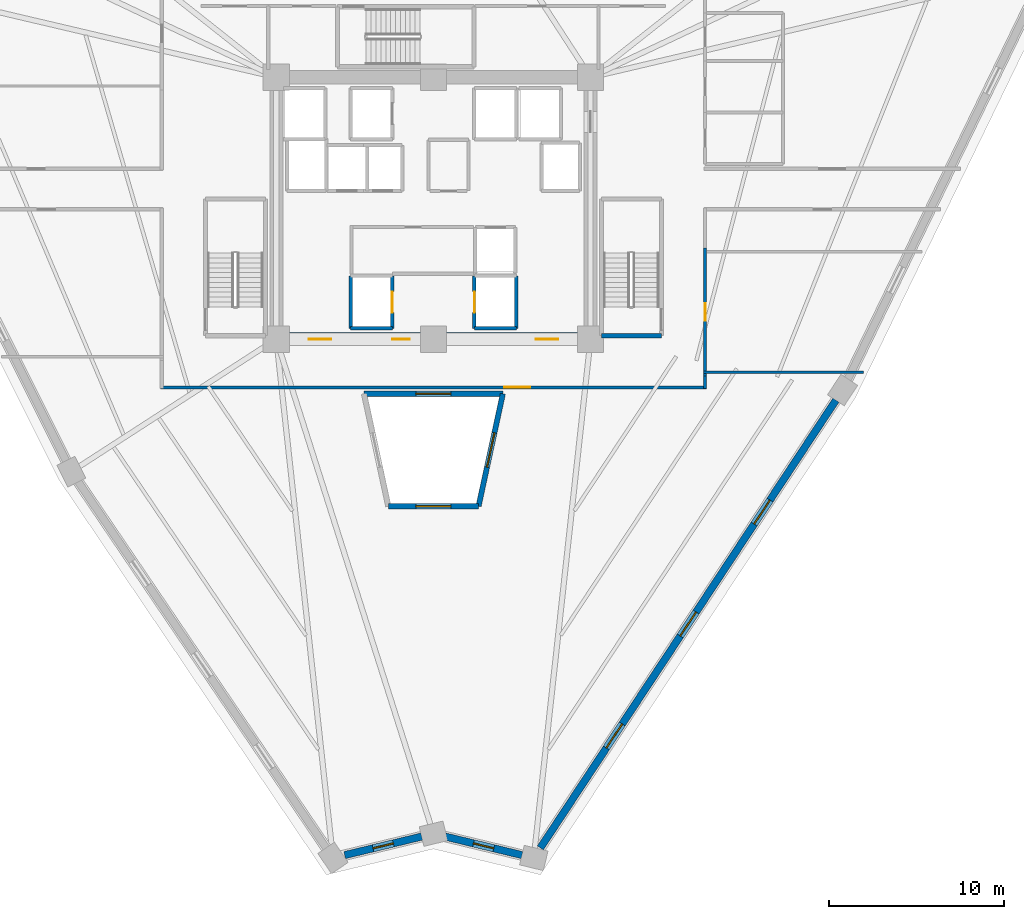
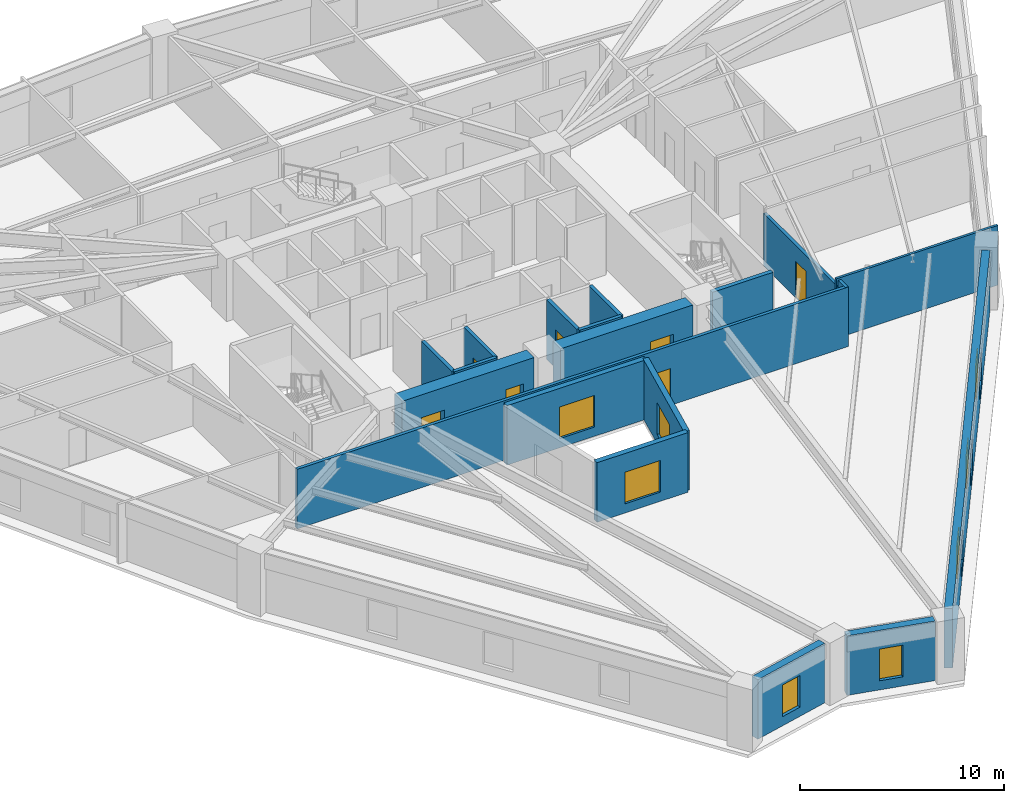
# One storey, part 3 of 8: 19 walls, 8 windows, 7 doors, 15 openings.
"""IFC4 building model written with IfcOpenShell, lengths in metres."""

from ifc_helpers import new_model, si_unit, direction, frame, frame_2d, origin, place, context, subcontext, project, spatial, rectangle, extrude, source, transform, mapped, material, layer, layer_set, type_object, element, fill, save


model = new_model("IFC4")

# Units and contexts
model_context = context("Model", 3, precision=1e-05, world=origin(), true_north=direction((0.0, 1.0)))
body_context = subcontext(model_context, "Body", "Model", "MODEL_VIEW")
ifc_project = project(units=[si_unit("LENGTHUNIT", "METRE"), si_unit("AREAUNIT", "SQUARE_METRE"), si_unit("VOLUMEUNIT", "CUBIC_METRE"), si_unit("PLANEANGLEUNIT", "RADIAN"), si_unit("MASSUNIT", "GRAM", prefix="KILO")], contexts=[model_context])

# Site, building, storey
site_placement = place(None, origin())
site = spatial("IfcSite", under=ifc_project, at=site_placement, CompositionType="ELEMENT")
building_placement = place(site_placement, origin())
building = spatial("IfcBuilding", under=site, at=building_placement, Name="Liaohun Quay Tower", CompositionType="ELEMENT")
storey_placement = place(building_placement, frame((0.0, 0.0, 155.25)))
storey = spatial("IfcBuildingStorey", under=building, at=storey_placement, Name="L40", CompositionType="ELEMENT", Elevation=155.25)

# Wall, opening, window
ifc_material_1 = material(Name="Concrete C50", Category="concrete")
ifc_layer_1 = layer(ifc_material_1, 0.300048828125, Name="Concrete C50", Category="concrete")
ifc_layer_set_1 = layer_set([ifc_layer_1], Name="Concrete C50")
wall_type_1 = type_object("IfcWallType", Name="WAL-ATR-300", PredefinedType="SOLIDWALL", material=ifc_layer_set_1)
wall_1_placement = place(storey_placement, frame((56.02197265625, 43.3701171875, 0.0), z_axis=(0.0, 0.0, 1.0), x_axis=(1.0, 0.0, 0.0)))
wall_1 = element("IfcWall", 1, at=wall_1_placement, inside=storey, type_object=wall_type_1, Name="L40 Atrium Fire Compartment Wall 2", PredefinedType="SOLIDWALL", context=body_context, shape_type="SweptSolid", body=[
    extrude(rectangle(XDim=7.9560546875, YDim=0.300048828125, at=frame_2d((3.97802734375, 0.0))), origin(), (0.0, 0.0, 1.0), 3.570068359375),
])
shared_shape_1 = source(origin(), body_context, "Body", "SweptSolid", [
    extrude(rectangle(XDim=2.0, YDim=1.89990234375, at=frame_2d((1.0, 0.949951171875))), frame((0.0, 0.159912109375, 0.0), z_axis=(0.0, -1.0, 0.0), x_axis=(1.0, 0.0, 0.0)), (0.0, 0.0, 1.0), 0.320068359375),
])
opening_1_placement = place(wall_1_placement, frame((2.97802734375, 0.0, 0.550048828125)))
opening_1 = element("IfcOpeningElement", 2, at=opening_1_placement, cuts=wall_1, Name="Opening W07", PredefinedType="OPENING", context=body_context, shape_type="MappedRepresentation", body=[
    mapped(shared_shape_1, transform((0.0, 0.0, 0.0), x_axis=(1.0, 0.0, 0.0), y_axis=(0.0, 1.0, 0.0), z_axis=(0.0, 0.0, 1.0), scale=1.0)),
])
ifc_material_2 = material(Name="Class A 180-min fire-resistant insulated glazing", Category="glass")
window_type_1 = type_object("IfcWindowType", Name="WIN-ATR-FIR", PartitioningType="DOUBLE_PANEL_VERTICAL", PredefinedType="WINDOW", material=ifc_material_2)
shared_shape_2 = source(origin(), body_context, "Body", "SweptSolid", [
    extrude(rectangle(XDim=2.0, YDim=1.89990234375, at=frame_2d((1.0, 0.949951171875))), frame((0.0, 0.030029296875, 0.0), z_axis=(0.0, -1.0, 0.0), x_axis=(1.0, 0.0, 0.0)), (0.0, 0.0, 1.0), 0.06005859375),
])
window_1_placement = place(opening_1_placement, origin())
window_1 = element("IfcWindow", 3, at=window_1_placement, inside=storey, type_object=window_type_1, Name="L40 Atrium Fire-Resistant Glazing W07-2", OverallHeight=1.89990234375, OverallWidth=2.0, PartitioningType="DOUBLE_PANEL_VERTICAL", PredefinedType="WINDOW", context=body_context, shape_type="MappedRepresentation", body=[
    mapped(shared_shape_2, transform((0.0, 0.0, 0.0), x_axis=(1.0, 0.0, 0.0), y_axis=(0.0, 1.0, 0.0), z_axis=(0.0, 0.0, 1.0), scale=1.0)),
])
fill(opening_1, window_1)

wall_2_placement = place(storey_placement, frame((63.97802734375, 43.3701171875, 0.0), z_axis=(0.0, 0.0, 1.0), x_axis=(-0.211277302898, -0.977426161549, 0.0)))
wall_2 = element("IfcWall", 4, at=wall_2_placement, inside=storey, type_object=wall_type_1, Name="L40 Atrium Fire Compartment Wall 3", PredefinedType="SOLIDWALL", context=body_context, shape_type="SweptSolid", body=[
    extrude(rectangle(XDim=6.5888671875, YDim=0.300048828125, at=frame_2d((3.29443359375, 0.0))), origin(), (0.0, 0.0, 1.0), 3.570068359375),
])
opening_2_placement = place(wall_2_placement, frame((2.2939453125, 0.0, 0.550048828125)))
opening_2 = element("IfcOpeningElement", 5, at=opening_2_placement, cuts=wall_2, Name="Opening W07", PredefinedType="OPENING", context=body_context, shape_type="MappedRepresentation", body=[
    mapped(shared_shape_1, transform((0.0, 0.0, 0.0), x_axis=(1.0, 0.0, 0.0), y_axis=(0.0, 1.0, 0.0), z_axis=(0.0, 0.0, 1.0), scale=1.0)),
])
window_2_placement = place(opening_2_placement, origin())
window_2 = element("IfcWindow", 6, at=window_2_placement, inside=storey, type_object=window_type_1, Name="L40 Atrium Fire-Resistant Glazing W07-3", OverallHeight=1.89990234375, OverallWidth=2.0, PartitioningType="DOUBLE_PANEL_VERTICAL", PredefinedType="WINDOW", context=body_context, shape_type="MappedRepresentation", body=[
    mapped(shared_shape_2, transform((0.0, 0.0, 0.0), x_axis=(1.0, 0.0, 0.0), y_axis=(0.0, 1.0, 0.0), z_axis=(0.0, 0.0, 1.0), scale=1.0)),
])
fill(opening_2, window_2)

wall_3_placement = place(storey_placement, frame((62.5859375, 36.929931640625, 0.0), z_axis=(0.0, 0.0, 1.0), x_axis=(-1.0, 0.0, 0.0)))
wall_3 = element("IfcWall", 7, at=wall_3_placement, inside=storey, type_object=wall_type_1, Name="L40 Atrium Fire Compartment Wall 4", PredefinedType="SOLIDWALL", context=body_context, shape_type="SweptSolid", body=[
    extrude(rectangle(XDim=5.171875, YDim=0.300048828125, at=frame_2d((2.5859375, 0.0))), origin(), (0.0, 0.0, 1.0), 3.570068359375),
])
opening_3_placement = place(wall_3_placement, frame((1.5859375, 0.0, 0.550048828125)))
opening_3 = element("IfcOpeningElement", 8, at=opening_3_placement, cuts=wall_3, Name="Opening W07", PredefinedType="OPENING", context=body_context, shape_type="MappedRepresentation", body=[
    mapped(shared_shape_1, transform((0.0, 0.0, 0.0), x_axis=(1.0, 0.0, 0.0), y_axis=(0.0, 1.0, 0.0), z_axis=(0.0, 0.0, 1.0), scale=1.0)),
])
window_3_placement = place(opening_3_placement, origin())
window_3 = element("IfcWindow", 9, at=window_3_placement, inside=storey, type_object=window_type_1, Name="L40 Atrium Fire-Resistant Glazing W07-4", OverallHeight=1.89990234375, OverallWidth=2.0, PartitioningType="DOUBLE_PANEL_VERTICAL", PredefinedType="WINDOW", context=body_context, shape_type="MappedRepresentation", body=[
    mapped(shared_shape_2, transform((0.0, 0.0, 0.0), x_axis=(1.0, 0.0, 0.0), y_axis=(0.0, 1.0, 0.0), z_axis=(0.0, 0.0, 1.0), scale=1.0)),
])
fill(opening_3, window_3)

# Wall, opening, door
ifc_material_3 = material(Name="Concrete C60", Category="concrete")
ifc_layer_2 = layer(ifc_material_3, 0.75, Name="Concrete C60", Category="concrete")
ifc_layer_set_2 = layer_set([ifc_layer_2], Name="Concrete C60")
wall_type_2 = type_object("IfcWallType", Name="WAL-COR-Z2", PredefinedType="SHEAR", material=ifc_layer_set_2)
wall_4_placement = place(storey_placement, frame((68.25, 46.5, 0.0), z_axis=(0.0, 0.0, 1.0), x_axis=(-1.0, 0.0, 0.0)))
wall_4 = element("IfcWall", 10, at=wall_4_placement, inside=storey, type_object=wall_type_2, Name="L40 Central Core Shear Wall S-E", PredefinedType="SHEAR", context=body_context, shape_type="SweptSolid", body=[
    extrude(rectangle(XDim=7.5, YDim=0.75, at=frame_2d((3.75, 0.0))), origin(), (0.0, 0.0, 1.0), 3.570068359375),
])
shared_shape_3 = source(origin(), body_context, "Body", "SweptSolid", [
    extrude(rectangle(XDim=1.300048828125, YDim=2.199951171875, at=frame_2d((0.64990234375, 1.10009765625))), frame((0.0, 0.385009765625, 0.0), z_axis=(0.0, -1.0, 0.0), x_axis=(1.0, 0.0, 0.0)), (0.0, 0.0, 1.0), 0.77001953125),
])
opening_4_placement = place(wall_4_placement, frame((1.10009765625, 0.0, 0.0)))
opening_4 = element("IfcOpeningElement", 11, at=opening_4_placement, cuts=wall_4, Name="Opening FD1", PredefinedType="OPENING", context=body_context, shape_type="MappedRepresentation", body=[
    mapped(shared_shape_3, transform((0.0, 0.0, 0.0), x_axis=(1.0, 0.0, 0.0), y_axis=(0.0, 1.0, 0.0), z_axis=(0.0, 0.0, 1.0), scale=1.0)),
])
ifc_material_4 = material(Name="Galvanised steel smokeproof fire door", Category="steel")
door_type_1 = type_object("IfcDoorType", Name="DOR-FFL-1300", OperationType="NOTDEFINED", PredefinedType="DOOR", material=ifc_material_4)
shared_shape_4 = source(origin(), body_context, "Body", "SweptSolid", [
    extrude(rectangle(XDim=1.300048828125, YDim=2.199951171875, at=frame_2d((0.64990234375, 1.10009765625))), frame((0.0, 0.02490234375, 0.0), z_axis=(0.0, -1.0, 0.0), x_axis=(1.0, 0.0, 0.0)), (0.0, 0.0, 1.0), 0.050048828125),
])
door_1_placement = place(opening_4_placement, origin())
door_1 = element("IfcDoor", 12, at=door_1_placement, inside=storey, type_object=door_type_1, Name="L40 East Core Lift Lobby Smokeproof Door", OperationType="SINGLE_SWING_LEFT", OverallHeight=2.199951171875, OverallWidth=1.300048828125, PredefinedType="DOOR", context=body_context, shape_type="MappedRepresentation", body=[
    mapped(shared_shape_4, transform((0.0, 0.0, 0.0), x_axis=(1.0, 0.0, 0.0), y_axis=(0.0, 1.0, 0.0), z_axis=(0.0, 0.0, 1.0), scale=1.0)),
])
fill(opening_4, door_1)

# Wall, openings, doors
wall_5_placement = place(storey_placement, frame((59.25, 46.5, 0.0), z_axis=(0.0, 0.0, 1.0), x_axis=(-1.0, 0.0, 0.0)))
wall_5 = element("IfcWall", 13, at=wall_5_placement, inside=storey, type_object=wall_type_2, Name="L40 Central Core Shear Wall S-W", PredefinedType="SHEAR", context=body_context, shape_type="SweptSolid", body=[
    extrude(rectangle(XDim=7.5, YDim=0.75, at=frame_2d((3.75, 0.0))), origin(), (0.0, 0.0, 1.0), 3.570068359375),
])
opening_5_placement = place(wall_5_placement, frame((5.10009765625, 0.0, 0.0)))
opening_5 = element("IfcOpeningElement", 14, at=opening_5_placement, cuts=wall_5, Name="Opening FD1", PredefinedType="OPENING", context=body_context, shape_type="MappedRepresentation", body=[
    mapped(shared_shape_3, transform((0.0, 0.0, 0.0), x_axis=(1.0, 0.0, 0.0), y_axis=(0.0, 1.0, 0.0), z_axis=(0.0, 0.0, 1.0), scale=1.0)),
])
shared_shape_5 = source(origin(), body_context, "Body", "SweptSolid", [
    extrude(rectangle(XDim=1.0, YDim=2.199951171875, at=frame_2d((0.5, 1.10009765625))), frame((0.0, 0.385009765625, 0.0), z_axis=(0.0, -1.0, 0.0), x_axis=(1.0, 0.0, 0.0)), (0.0, 0.0, 1.0), 0.77001953125),
])
opening_6_placement = place(wall_5_placement, frame((0.60009765625, 0.0, 0.0)))
opening_6 = element("IfcOpeningElement", 15, at=opening_6_placement, cuts=wall_5, Name="Opening FD2", PredefinedType="OPENING", context=body_context, shape_type="MappedRepresentation", body=[
    mapped(shared_shape_5, transform((0.0, 0.0, 0.0), x_axis=(1.0, 0.0, 0.0), y_axis=(0.0, 1.0, 0.0), z_axis=(0.0, 0.0, 1.0), scale=1.0)),
])
door_2_placement = place(opening_5_placement, origin())
door_2 = element("IfcDoor", 16, at=door_2_placement, inside=storey, type_object=door_type_1, Name="L40 West Core Lift Lobby Smokeproof Door", OperationType="SINGLE_SWING_RIGHT", OverallHeight=2.199951171875, OverallWidth=1.300048828125, PredefinedType="DOOR", context=body_context, shape_type="MappedRepresentation", body=[
    mapped(shared_shape_4, transform((0.0, 0.0, 0.0), x_axis=(1.0, 0.0, 0.0), y_axis=(0.0, 1.0, 0.0), z_axis=(0.0, 0.0, 1.0), scale=1.0)),
])
fill(opening_5, door_2)
ifc_material_5 = material(Name="Galvanised steel smokeproof lobby fire door", Category="steel")
door_type_2 = type_object("IfcDoorType", Name="DOR-FFL-1000", OperationType="NOTDEFINED", PredefinedType="DOOR", material=ifc_material_5)
shared_shape_6 = source(origin(), body_context, "Body", "SweptSolid", [
    extrude(rectangle(XDim=1.0, YDim=2.199951171875, at=frame_2d((0.5, 1.10009765625))), frame((0.0, 0.02490234375, 0.0), z_axis=(0.0, -1.0, 0.0), x_axis=(1.0, 0.0, 0.0)), (0.0, 0.0, 1.0), 0.050048828125),
])
door_3_placement = place(opening_6_placement, origin())
door_3 = element("IfcDoor", 17, at=door_3_placement, inside=storey, type_object=door_type_2, Name="L40 South Firefighting Lobby Smokeproof Door", OperationType="SINGLE_SWING_LEFT", OverallHeight=2.199951171875, OverallWidth=1.0, PredefinedType="DOOR", context=body_context, shape_type="MappedRepresentation", body=[
    mapped(shared_shape_6, transform((0.0, 0.0, 0.0), x_axis=(1.0, 0.0, 0.0), y_axis=(0.0, 1.0, 0.0), z_axis=(0.0, 0.0, 1.0), scale=1.0)),
])
fill(opening_6, door_3)

# Wall, opening, window
ifc_material_6 = material(Name="Precast concrete C50 insulated sandwich", Category="concrete")
ifc_layer_3 = layer(ifc_material_6, 0.419921875, Name="Precast concrete C50 insulated sandwich", Category="concrete")
ifc_layer_set_3 = layer_set([ifc_layer_3], Name="Precast concrete C50 insulated sandwich")
wall_type_3 = type_object("IfcWallType", Name="WAL-EXT-Z12", PredefinedType="SOLIDWALL", material=ifc_layer_set_3)
wall_6_placement = place(storey_placement, frame((60.6708984375, 18.009033203125, 0.0), z_axis=(0.0, 0.0, 1.0), x_axis=(0.972047876223, -0.234782721531, 0.0)))
wall_6 = element("IfcWall", 18, at=wall_6_placement, inside=storey, type_object=wall_type_3, Name="L40 Brutalist Precast Pier Wall 01", PredefinedType="SOLIDWALL", context=body_context, shape_type="SweptSolid", body=[
    extrude(rectangle(XDim=4.53173828125, YDim=0.419921875, at=frame_2d((2.265869140625, 0.0))), origin(), (0.0, 0.0, 1.0), 3.570068359375),
])
shared_shape_7 = source(origin(), body_context, "Body", "SweptSolid", [
    extrude(rectangle(XDim=1.199951171875, YDim=1.89990234375, at=frame_2d((0.60009765625, 0.949951171875))), frame((0.0, 0.219970703125, 0.0), z_axis=(0.0, -1.0, 0.0), x_axis=(1.0, 0.0, 0.0)), (0.0, 0.0, 1.0), 0.43994140625),
])
opening_7_placement = place(wall_6_placement, frame((1.666015625, 0.0, 0.550048828125)))
opening_7 = element("IfcOpeningElement", 19, at=opening_7_placement, cuts=wall_6, Name="Opening W05", PredefinedType="OPENING", context=body_context, shape_type="MappedRepresentation", body=[
    mapped(shared_shape_7, transform((0.0, 0.0, 0.0), x_axis=(1.0, 0.0, 0.0), y_axis=(0.0, 1.0, 0.0), z_axis=(0.0, 0.0, 1.0), scale=1.0)),
])
ifc_material_7 = material(Name="Triple Low-E corner notch glazing", Category="glass")
window_type_2 = type_object("IfcWindowType", Name="WIN-NOTCH", PartitioningType="SINGLE_PANEL", PredefinedType="WINDOW", material=ifc_material_7)
shared_shape_8 = source(origin(), body_context, "Body", "SweptSolid", [
    extrude(rectangle(XDim=1.199951171875, YDim=1.89990234375, at=frame_2d((0.60009765625, 0.949951171875))), frame((0.0, 0.030029296875, 0.0), z_axis=(0.0, -1.0, 0.0), x_axis=(1.0, 0.0, 0.0)), (0.0, 0.0, 1.0), 0.06005859375),
])
window_4_placement = place(opening_7_placement, origin())
window_4 = element("IfcWindow", 20, at=window_4_placement, inside=storey, type_object=window_type_2, Name="L40 Corner Notch Window W05-01", OverallHeight=1.89990234375, OverallWidth=1.199951171875, PartitioningType="SINGLE_PANEL", PredefinedType="WINDOW", context=body_context, shape_type="MappedRepresentation", body=[
    mapped(shared_shape_8, transform((0.0, 0.0, 0.0), x_axis=(1.0, 0.0, 0.0), y_axis=(0.0, 1.0, 0.0), z_axis=(0.0, 0.0, 1.0), scale=1.0)),
])
fill(opening_7, window_4)

# Wall, openings, windows
wall_7_placement = place(storey_placement, frame((66.126953125, 17.35888671875, 0.0), z_axis=(0.0, 0.0, 1.0), x_axis=(0.550882826914, 0.834582596878, 0.0)))
wall_7 = element("IfcWall", 21, at=wall_7_placement, inside=storey, type_object=wall_type_3, Name="L40 Brutalist Precast Pier Wall 02", PredefinedType="SOLIDWALL", context=body_context, shape_type="SweptSolid", body=[
    extrude(rectangle(XDim=30.730712890625, YDim=0.419921875, at=frame_2d((15.365234375, 0.0))), origin(), (0.0, 0.0, 1.0), 3.570068359375),
])
shared_shape_9 = source(origin(), body_context, "Body", "SweptSolid", [
    extrude(rectangle(XDim=1.64990234375, YDim=1.949951171875, at=frame_2d((0.824951171875, 0.97509765625))), frame((0.0, 0.219970703125, 0.0), z_axis=(0.0, -1.0, 0.0), x_axis=(1.0, 0.0, 0.0)), (0.0, 0.0, 1.0), 0.43994140625),
])
opening_8_placement = place(wall_7_placement, frame((6.85791015625, 0.0, 0.550048828125)))
opening_8 = element("IfcOpeningElement", 22, at=opening_8_placement, cuts=wall_7, Name="Opening W02", PredefinedType="OPENING", context=body_context, shape_type="MappedRepresentation", body=[
    mapped(shared_shape_9, transform((0.0, 0.0, 0.0), x_axis=(1.0, 0.0, 0.0), y_axis=(0.0, 1.0, 0.0), z_axis=(0.0, 0.0, 1.0), scale=1.0)),
])
opening_9_placement = place(wall_7_placement, frame((14.5400390625, 0.0, 0.550048828125)))
opening_9 = element("IfcOpeningElement", 23, at=opening_9_placement, cuts=wall_7, Name="Opening W02", PredefinedType="OPENING", context=body_context, shape_type="MappedRepresentation", body=[
    mapped(shared_shape_9, transform((0.0, 0.0, 0.0), x_axis=(1.0, 0.0, 0.0), y_axis=(0.0, 1.0, 0.0), z_axis=(0.0, 0.0, 1.0), scale=1.0)),
])
opening_10_placement = place(wall_7_placement, frame((22.222900390625, 0.0, 0.550048828125)))
opening_10 = element("IfcOpeningElement", 24, at=opening_10_placement, cuts=wall_7, Name="Opening W02", PredefinedType="OPENING", context=body_context, shape_type="MappedRepresentation", body=[
    mapped(shared_shape_9, transform((0.0, 0.0, 0.0), x_axis=(1.0, 0.0, 0.0), y_axis=(0.0, 1.0, 0.0), z_axis=(0.0, 0.0, 1.0), scale=1.0)),
])
ifc_material_8 = material(Name="Triple Low-E argon glazing in thermally broken aluminium", Category="aluminium")
window_type_3 = type_object("IfcWindowType", Name="WIN-PUN-Z2", PartitioningType="DOUBLE_PANEL_VERTICAL", PredefinedType="WINDOW", material=ifc_material_8)
shared_shape_10 = source(origin(), body_context, "Body", "SweptSolid", [
    extrude(rectangle(XDim=1.64990234375, YDim=1.949951171875, at=frame_2d((0.824951171875, 0.97509765625))), frame((0.0, 0.030029296875, 0.0), z_axis=(0.0, -1.0, 0.0), x_axis=(1.0, 0.0, 0.0)), (0.0, 0.0, 1.0), 0.06005859375),
])
window_5_placement = place(opening_8_placement, origin())
window_5 = element("IfcWindow", 25, at=window_5_placement, inside=storey, type_object=window_type_3, Name="L40 Recessed Cold-Climate Punched Window 02-1", OverallHeight=1.949951171875, OverallWidth=1.64990234375, PartitioningType="DOUBLE_PANEL_VERTICAL", PredefinedType="WINDOW", context=body_context, shape_type="MappedRepresentation", body=[
    mapped(shared_shape_10, transform((0.0, 0.0, 0.0), x_axis=(1.0, 0.0, 0.0), y_axis=(0.0, 1.0, 0.0), z_axis=(0.0, 0.0, 1.0), scale=1.0)),
])
fill(opening_8, window_5)
window_6_placement = place(opening_9_placement, origin())
window_6 = element("IfcWindow", 26, at=window_6_placement, inside=storey, type_object=window_type_3, Name="L40 Recessed Cold-Climate Punched Window 02-2", OverallHeight=1.949951171875, OverallWidth=1.64990234375, PartitioningType="DOUBLE_PANEL_VERTICAL", PredefinedType="WINDOW", context=body_context, shape_type="MappedRepresentation", body=[
    mapped(shared_shape_10, transform((0.0, 0.0, 0.0), x_axis=(1.0, 0.0, 0.0), y_axis=(0.0, 1.0, 0.0), z_axis=(0.0, 0.0, 1.0), scale=1.0)),
])
fill(opening_9, window_6)
window_7_placement = place(opening_10_placement, origin())
window_7 = element("IfcWindow", 27, at=window_7_placement, inside=storey, type_object=window_type_3, Name="L40 Recessed Cold-Climate Punched Window 02-3", OverallHeight=1.949951171875, OverallWidth=1.64990234375, PartitioningType="DOUBLE_PANEL_VERTICAL", PredefinedType="WINDOW", context=body_context, shape_type="MappedRepresentation", body=[
    mapped(shared_shape_10, transform((0.0, 0.0, 0.0), x_axis=(1.0, 0.0, 0.0), y_axis=(0.0, 1.0, 0.0), z_axis=(0.0, 0.0, 1.0), scale=1.0)),
])
fill(opening_10, window_7)

# Wall, opening, window
wall_8_placement = place(storey_placement, frame((54.916015625, 16.944091796875, 0.0), z_axis=(0.0, 0.0, 1.0), x_axis=(0.972096587911, 0.234580953556, 0.0)))
wall_8 = element("IfcWall", 28, at=wall_8_placement, inside=storey, type_object=wall_type_3, Name="L40 Brutalist Precast Pier Wall 12", PredefinedType="SOLIDWALL", context=body_context, shape_type="SweptSolid", body=[
    extrude(rectangle(XDim=4.539794921875, YDim=0.419921875, at=frame_2d((2.27001953125, 0.0))), origin(), (0.0, 0.0, 1.0), 3.570068359375),
])
opening_11_placement = place(wall_8_placement, frame((1.669921875, 0.0, 0.550048828125)))
opening_11 = element("IfcOpeningElement", 29, at=opening_11_placement, cuts=wall_8, Name="Opening W05", PredefinedType="OPENING", context=body_context, shape_type="MappedRepresentation", body=[
    mapped(shared_shape_7, transform((0.0, 0.0, 0.0), x_axis=(1.0, 0.0, 0.0), y_axis=(0.0, 1.0, 0.0), z_axis=(0.0, 0.0, 1.0), scale=1.0)),
])
window_8_placement = place(opening_11_placement, origin())
window_8 = element("IfcWindow", 30, at=window_8_placement, inside=storey, type_object=window_type_2, Name="L40 Corner Notch Window W05-12", OverallHeight=1.89990234375, OverallWidth=1.199951171875, PartitioningType="SINGLE_PANEL", PredefinedType="WINDOW", context=body_context, shape_type="MappedRepresentation", body=[
    mapped(shared_shape_8, transform((0.0, 0.0, 0.0), x_axis=(1.0, 0.0, 0.0), y_axis=(0.0, 1.0, 0.0), z_axis=(0.0, 0.0, 1.0), scale=1.0)),
])
fill(opening_11, window_8)

# Wall, opening, door
ifc_material_9 = material(Name="Autoclaved aerated concrete blockwork", Category="masonry")
ifc_layer_4 = layer(ifc_material_9, 0.179931640625, Name="Autoclaved aerated concrete blockwork", Category="masonry")
ifc_layer_set_4 = layer_set([ifc_layer_4], Name="Autoclaved aerated concrete blockwork")
wall_type_4 = type_object("IfcWallType", Name="WAL-PRT-COR", PredefinedType="PARTITIONING", material=ifc_layer_set_4)
wall_9_placement = place(storey_placement, frame((75.6298828125, 43.739990234375, 0.0), z_axis=(0.0, 0.0, 1.0), x_axis=(-1.0, 0.0, 0.0)))
wall_9 = element("IfcWall", 31, at=wall_9_placement, inside=storey, type_object=wall_type_4, Name="L40 Interior Partition Wall 019", PredefinedType="PARTITIONING", context=body_context, shape_type="SweptSolid", body=[
    extrude(rectangle(XDim=31.259765625, YDim=0.179931640625, at=frame_2d((15.6298828125, 0.0))), origin(), (0.0, 0.0, 1.0), 3.570068359375),
])
shared_shape_11 = source(origin(), body_context, "Body", "SweptSolid", [
    extrude(rectangle(XDim=1.5, YDim=2.199951171875, at=frame_2d((0.75, 1.10009765625))), frame((0.0, 0.099853515625, 0.0), z_axis=(0.0, -1.0, 0.0), x_axis=(1.0, 0.0, 0.0)), (0.0, 0.0, 1.0), 0.199951171875),
])
opening_12_placement = place(wall_9_placement, frame((10.080078125, 0.0, 0.0)))
opening_12 = element("IfcOpeningElement", 32, at=opening_12_placement, cuts=wall_9, Name="Opening OD2", PredefinedType="OPENING", context=body_context, shape_type="MappedRepresentation", body=[
    mapped(shared_shape_11, transform((0.0, 0.0, 0.0), x_axis=(1.0, 0.0, 0.0), y_axis=(0.0, 1.0, 0.0), z_axis=(0.0, 0.0, 1.0), scale=1.0)),
])
ifc_material_10 = material(Name="Acoustic oak veneer double door")
door_type_3 = type_object("IfcDoorType", Name="DOR-OFF-1500", OperationType="DOUBLE_DOOR_SINGLE_SWING", PredefinedType="DOOR", material=ifc_material_10)
shared_shape_12 = source(origin(), body_context, "Body", "SweptSolid", [
    extrude(rectangle(XDim=1.5, YDim=2.199951171875, at=frame_2d((0.75, 1.10009765625))), frame((0.0, 0.02490234375, 0.0), z_axis=(0.0, -1.0, 0.0), x_axis=(1.0, 0.0, 0.0)), (0.0, 0.0, 1.0), 0.050048828125),
])
door_4_placement = place(opening_12_placement, origin())
door_4 = element("IfcDoor", 33, at=door_4_placement, inside=storey, type_object=door_type_3, Name="L40 Open-Plan Office Workplace 10 Door", OperationType="DOUBLE_DOOR_SINGLE_SWING", OverallHeight=2.199951171875, OverallWidth=1.5, PredefinedType="DOOR", context=body_context, shape_type="MappedRepresentation", body=[
    mapped(shared_shape_12, transform((0.0, 0.0, 0.0), x_axis=(1.0, 0.0, 0.0), y_axis=(0.0, 1.0, 0.0), z_axis=(0.0, 0.0, 1.0), scale=1.0)),
])
fill(opening_12, door_4)

wall_10_placement = place(storey_placement, frame((75.56005859375, 51.715087890625, 0.0), z_axis=(0.0, 0.0, 1.0), x_axis=(0.0, -1.0, 0.0)))
wall_10 = element("IfcWall", 34, at=wall_10_placement, inside=storey, type_object=wall_type_4, Name="L40 Interior Partition Wall 020", PredefinedType="PARTITIONING", context=body_context, shape_type="SweptSolid", body=[
    extrude(rectangle(XDim=7.330078125, YDim=0.179931640625, at=frame_2d((3.6650390625, 0.0))), origin(), (0.0, 0.0, 1.0), 3.155029296875),
])
shared_shape_13 = source(origin(), body_context, "Body", "SweptSolid", [
    extrude(rectangle(XDim=1.0, YDim=2.199951171875, at=frame_2d((0.5, 1.10009765625))), frame((0.0, 0.099853515625, 0.0), z_axis=(0.0, -1.0, 0.0), x_axis=(1.0, 0.0, 0.0)), (0.0, 0.0, 1.0), 0.199951171875),
])
opening_13_placement = place(wall_10_placement, frame((3.1650390625, 0.0, 0.0)))
opening_13 = element("IfcOpeningElement", 35, at=opening_13_placement, cuts=wall_10, Name="Opening OD1", PredefinedType="OPENING", context=body_context, shape_type="MappedRepresentation", body=[
    mapped(shared_shape_13, transform((0.0, 0.0, 0.0), x_axis=(1.0, 0.0, 0.0), y_axis=(0.0, 1.0, 0.0), z_axis=(0.0, 0.0, 1.0), scale=1.0)),
])
ifc_material_11 = material(Name="Solid-core oak veneer timber leaf in steel frame", Category="steel")
door_type_4 = type_object("IfcDoorType", Name="DOR-OFF-1000", OperationType="NOTDEFINED", PredefinedType="DOOR", material=ifc_material_11)
door_5_placement = place(opening_13_placement, origin())
door_5 = element("IfcDoor", 36, at=door_5_placement, inside=storey, type_object=door_type_4, Name="L40 Executive Partner Office 11 Door", OperationType="SINGLE_SWING_RIGHT", OverallHeight=2.199951171875, OverallWidth=1.0, PredefinedType="DOOR", context=body_context, shape_type="MappedRepresentation", body=[
    mapped(shared_shape_6, transform((0.0, 0.0, 0.0), x_axis=(1.0, 0.0, 0.0), y_axis=(0.0, 1.0, 0.0), z_axis=(0.0, 0.0, 1.0), scale=1.0)),
])
fill(opening_13, door_5)

# Walls
wall_11_placement = place(storey_placement, frame((75.56005859375, 44.385009765625, 0.0), z_axis=(0.0, 0.0, 1.0), x_axis=(0.0, -1.0, 0.0)))
element("IfcWall", 37, at=wall_11_placement, inside=storey, type_object=wall_type_4, Name="L40 Interior Partition Wall 038", PredefinedType="PARTITIONING", context=body_context, shape_type="SweptSolid", body=[
    extrude(rectangle(XDim=0.715087890625, YDim=0.179931640625, at=frame_2d((0.357421875, 0.0))), origin(), (0.0, 0.0, 1.0), 3.570068359375),
])
ifc_material_12 = material(Name="Gypsum board on twin steel studs", Category="steel")
ifc_layer_5 = layer(ifc_material_12, 0.139892578125, Name="Gypsum board on twin steel studs", Category="steel")
ifc_layer_set_5 = layer_set([ifc_layer_5], Name="Gypsum board on twin steel studs")
wall_type_5 = type_object("IfcWallType", Name="WAL-PRT-OFF", PredefinedType="PARTITIONING", material=ifc_layer_set_5)
wall_12_placement = place(storey_placement, frame((75.4599609375, 44.60009765625, 0.0), z_axis=(0.0, 0.0, 1.0), x_axis=(1.0, 0.0, 0.0)))
element("IfcWall", 38, at=wall_12_placement, inside=storey, type_object=wall_type_5, Name="L40 Interior Partition Wall 043", PredefinedType="PARTITIONING", context=body_context, shape_type="SweptSolid", body=[
    extrude(rectangle(XDim=9.171142578125, YDim=0.139892578125, at=frame_2d((4.58544921875, 0.0))), origin(), (0.0, 0.0, 1.0), 3.570068359375),
])
ifc_layer_6 = layer(ifc_material_1, 0.239990234375, Name="Concrete C50", Category="concrete")
ifc_layer_set_6 = layer_set([ifc_layer_6], Name="Concrete C50")
wall_type_6 = type_object("IfcWallType", Name="WAL-SHF-200", PredefinedType="SOLIDWALL", material=ifc_layer_set_6)
wall_13_placement = place(storey_placement, frame((69.6201171875, 46.699951171875, 0.0), z_axis=(0.0, 0.0, 1.0), x_axis=(1.0, 0.0, 0.0)))
element("IfcWall", 39, at=wall_13_placement, inside=storey, type_object=wall_type_6, Name="L40 Stairwell ST-2 Structural Core Wall S", PredefinedType="SOLIDWALL", context=body_context, shape_type="SweptSolid", body=[
    extrude(rectangle(XDim=3.43994140625, YDim=0.239990234375, at=frame_2d((1.719970703125, 0.0))), origin(), (0.0, 0.0, 1.0), 3.570068359375),
])
wall_14_placement = place(storey_placement, frame((55.25, 47.1201171875, 0.0), z_axis=(0.0, 0.0, 1.0), x_axis=(1.0, 0.0, 0.0)))
element("IfcWall", 40, at=wall_14_placement, inside=storey, type_object=wall_type_6, Name="L40 Lift FF-01 Hoistway Wall S", PredefinedType="SOLIDWALL", context=body_context, shape_type="SweptSolid", body=[
    extrude(rectangle(XDim=2.39990234375, YDim=0.199951171875, at=frame_2d((1.199951171875, 0.0))), origin(), (0.0, 0.0, 1.0), 3.570068359375),
])

# Wall, opening, door
wall_15_placement = place(storey_placement, frame((57.64990234375, 47.1201171875, 0.0), z_axis=(0.0, 0.0, 1.0), x_axis=(0.0, 1.0, 0.0)))
wall_15 = element("IfcWall", 41, at=wall_15_placement, inside=storey, type_object=wall_type_6, Name="L40 Lift FF-01 Hoistway Wall E", PredefinedType="SOLIDWALL", context=body_context, shape_type="SweptSolid", body=[
    extrude(rectangle(XDim=3.0, YDim=0.199951171875, at=frame_2d((1.5, 0.0))), origin(), (0.0, 0.0, 1.0), 3.570068359375),
])
shared_shape_14 = source(origin(), body_context, "Body", "SweptSolid", [
    extrude(rectangle(XDim=1.199951171875, YDim=2.300048828125, at=frame_2d((0.60009765625, 1.14990234375))), frame((0.0, 0.10986328125, 0.0), z_axis=(0.0, -1.0, 0.0), x_axis=(1.0, 0.0, 0.0)), (0.0, 0.0, 1.0), 0.219970703125),
])
opening_14_placement = place(wall_15_placement, frame((0.89990234375, 0.0, 0.0)))
opening_14 = element("IfcOpeningElement", 42, at=opening_14_placement, cuts=wall_15, Name="Opening LD2", PredefinedType="OPENING", context=body_context, shape_type="MappedRepresentation", body=[
    mapped(shared_shape_14, transform((0.0, 0.0, 0.0), x_axis=(1.0, 0.0, 0.0), y_axis=(0.0, 1.0, 0.0), z_axis=(0.0, 0.0, 1.0), scale=1.0)),
])
ifc_material_13 = material(Name="Brushed stainless steel stretcher landing door", Category="steel")
door_type_5 = type_object("IfcDoorType", Name="DOR-LFT-1200", OperationType="SLIDING_TO_LEFT", PredefinedType="DOOR", material=ifc_material_13)
shared_shape_15 = source(origin(), body_context, "Body", "SweptSolid", [
    extrude(rectangle(XDim=1.199951171875, YDim=2.300048828125, at=frame_2d((0.60009765625, 1.14990234375))), frame((0.0, 0.02490234375, 0.0), z_axis=(0.0, -1.0, 0.0), x_axis=(1.0, 0.0, 0.0)), (0.0, 0.0, 1.0), 0.050048828125),
])
door_6_placement = place(opening_14_placement, origin())
door_6 = element("IfcDoor", 43, at=door_6_placement, inside=storey, type_object=door_type_5, Name="L40 Lift FF-01 Sliding Landing Door", OperationType="SLIDING_TO_LEFT", OverallHeight=2.300048828125, OverallWidth=1.199951171875, PredefinedType="DOOR", context=body_context, shape_type="MappedRepresentation", body=[
    mapped(shared_shape_15, transform((0.0, 0.0, 0.0), x_axis=(1.0, 0.0, 0.0), y_axis=(0.0, 1.0, 0.0), z_axis=(0.0, 0.0, 1.0), scale=1.0)),
])
fill(opening_14, door_6)

# Walls
wall_16_placement = place(storey_placement, frame((55.25, 50.1201171875, 0.0), z_axis=(0.0, 0.0, 1.0), x_axis=(0.0, -1.0, 0.0)))
element("IfcWall", 44, at=wall_16_placement, inside=storey, type_object=wall_type_6, Name="L40 Lift FF-01 Hoistway Wall W", PredefinedType="SOLIDWALL", context=body_context, shape_type="SweptSolid", body=[
    extrude(rectangle(XDim=3.0, YDim=0.199951171875, at=frame_2d((1.5, 0.0))), origin(), (0.0, 0.0, 1.0), 3.570068359375),
])
wall_17_placement = place(storey_placement, frame((62.35009765625, 47.1201171875, 0.0), z_axis=(0.0, 0.0, 1.0), x_axis=(1.0, 0.0, 0.0)))
element("IfcWall", 45, at=wall_17_placement, inside=storey, type_object=wall_type_6, Name="L40 Lift FF-02 Hoistway Wall S", PredefinedType="SOLIDWALL", context=body_context, shape_type="SweptSolid", body=[
    extrude(rectangle(XDim=2.39990234375, YDim=0.199951171875, at=frame_2d((1.199951171875, 0.0))), origin(), (0.0, 0.0, 1.0), 3.570068359375),
])
wall_18_placement = place(storey_placement, frame((64.75, 47.1201171875, 0.0), z_axis=(0.0, 0.0, 1.0), x_axis=(0.0, 1.0, 0.0)))
element("IfcWall", 46, at=wall_18_placement, inside=storey, type_object=wall_type_6, Name="L40 Lift FF-02 Hoistway Wall E", PredefinedType="SOLIDWALL", context=body_context, shape_type="SweptSolid", body=[
    extrude(rectangle(XDim=3.0, YDim=0.199951171875, at=frame_2d((1.5, 0.0))), origin(), (0.0, 0.0, 1.0), 3.570068359375),
])

# Wall, opening, door
wall_19_placement = place(storey_placement, frame((62.35009765625, 50.1201171875, 0.0), z_axis=(0.0, 0.0, 1.0), x_axis=(0.0, -1.0, 0.0)))
wall_19 = element("IfcWall", 47, at=wall_19_placement, inside=storey, type_object=wall_type_6, Name="L40 Lift FF-02 Hoistway Wall W", PredefinedType="SOLIDWALL", context=body_context, shape_type="SweptSolid", body=[
    extrude(rectangle(XDim=3.0, YDim=0.199951171875, at=frame_2d((1.5, 0.0))), origin(), (0.0, 0.0, 1.0), 3.570068359375),
])
opening_15_placement = place(wall_19_placement, frame((0.89990234375, 0.0, 0.0)))
opening_15 = element("IfcOpeningElement", 48, at=opening_15_placement, cuts=wall_19, Name="Opening LD2", PredefinedType="OPENING", context=body_context, shape_type="MappedRepresentation", body=[
    mapped(shared_shape_14, transform((0.0, 0.0, 0.0), x_axis=(1.0, 0.0, 0.0), y_axis=(0.0, 1.0, 0.0), z_axis=(0.0, 0.0, 1.0), scale=1.0)),
])
door_7_placement = place(opening_15_placement, origin())
door_7 = element("IfcDoor", 49, at=door_7_placement, inside=storey, type_object=door_type_5, Name="L40 Lift FF-02 Sliding Landing Door", OperationType="SLIDING_TO_LEFT", OverallHeight=2.300048828125, OverallWidth=1.199951171875, PredefinedType="DOOR", context=body_context, shape_type="MappedRepresentation", body=[
    mapped(shared_shape_15, transform((0.0, 0.0, 0.0), x_axis=(1.0, 0.0, 0.0), y_axis=(0.0, 1.0, 0.0), z_axis=(0.0, 0.0, 1.0), scale=1.0)),
])
fill(opening_15, door_7)

save(model, "model.ifc")
